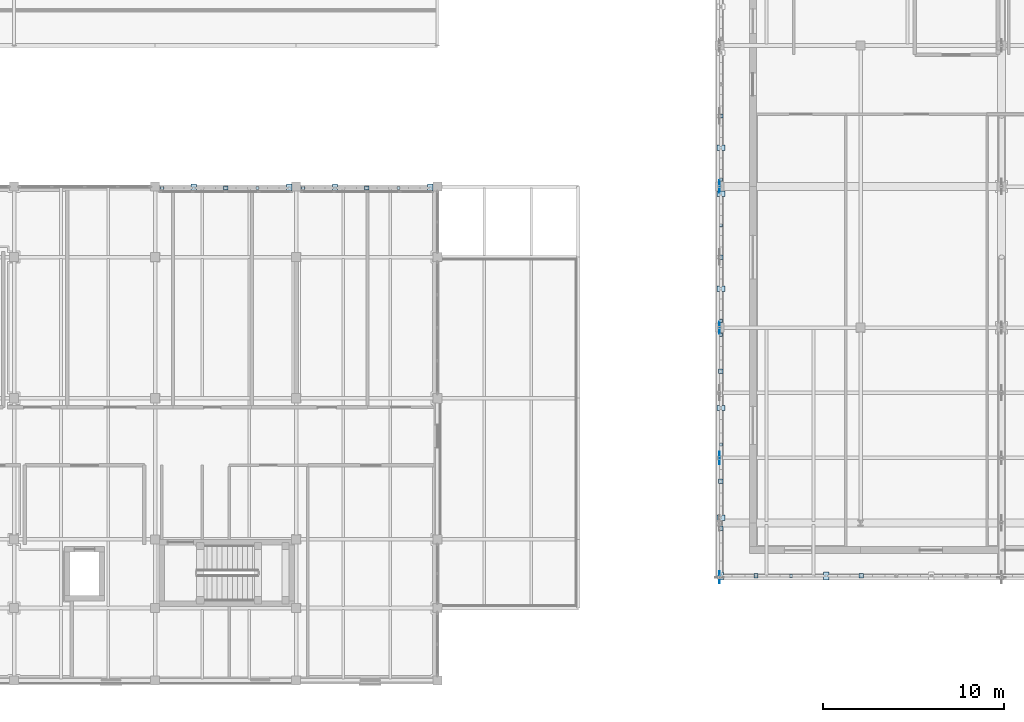
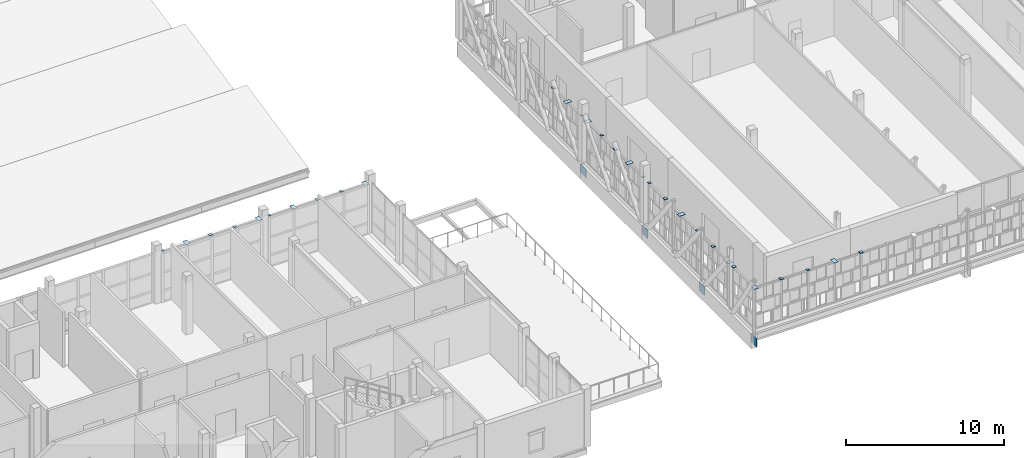
# One storey, part 54 of 89: 34 plates.
"""IFC4 building model written with IfcOpenShell, lengths in metres."""

import ifcopenshell
import ifcopenshell.guid

model = None  # the IFC model being written
_history = None  # IfcOwnerHistory: only IFC2X3 demands one
_inside = {}  # id of a spatial element -> (the spatial element, [elements in it])
_under = {}  # id of a project, library or spatial element -> (it, [spatial elements below it])
_declared = {}  # id of a project -> (the project, [libraries it declares])
_typed = {}  # id of a type object -> (the type object, [elements of that type])
_made_of = {}  # id of a material, layer set ... -> (it, [elements and type objects made of it])


def new_model(schema):
    """Start an empty IFC model of exactly this schema.

    Asked for "IFC4X3", IfcOpenShell would pick the latest addendum, in which some entities
    have other attributes; the version numbers below select the first issue.
    IFC2X3 requires an IfcOwnerHistory on every rooted entity: one is made here for all.
    """
    global model, _history
    if schema == "IFC4X3":
        model = ifcopenshell.file(schema_version=(4, 3, 0, 0))
    else:
        model = ifcopenshell.file(schema=schema)
    _inside.clear()
    _under.clear()
    _declared.clear()
    _typed.clear()
    _made_of.clear()
    _history = None
    if model.schema == "IFC2X3":
        org = make("IfcOrganization", Name="unknown")
        user = make(
            "IfcPersonAndOrganization",
            ThePerson=make("IfcPerson", FamilyName="unknown"),
            TheOrganization=org,
        )
        app = make(
            "IfcApplication",
            ApplicationDeveloper=org,
            Version="unknown",
            ApplicationFullName="unknown",
            ApplicationIdentifier="unknown",
        )
        _history = make(
            "IfcOwnerHistory",
            OwningUser=user,
            OwningApplication=app,
            ChangeAction="ADDED",
            CreationDate=0,
        )
    return model


def make(cls, **values):
    """One entity of the class cls with the attributes given. An attribute that is None is left unset."""
    return model.create_entity(
        cls, **{name: value for name, value in values.items() if value is not None}
    )


def rooted(cls, **values):
    """An entity with a GlobalId (a new one), such as an element, a storey or a relation."""
    return make(cls, GlobalId=ifcopenshell.guid.new(), OwnerHistory=_history, **values)


def si_unit(unit_type, name, prefix=None):
    """IfcSIUnit, for example si_unit("LENGTHUNIT", "METRE", prefix="MILLI")."""
    return make("IfcSIUnit", UnitType=unit_type, Prefix=prefix, Name=name)


def assignment(units):
    """IfcUnitAssignment: the units of a project."""
    return None if units is None else make("IfcUnitAssignment", Units=units)


def point(xyz):
    """IfcCartesianPoint."""
    return None if xyz is None else make("IfcCartesianPoint", Coordinates=xyz)


def direction(xyz):
    """IfcDirection."""
    return None if xyz is None else make("IfcDirection", DirectionRatios=xyz)


def frame(location, z_axis=None, x_axis=None):
    """IfcAxis2Placement3D, a coordinate frame: its origin and axes. An axis left out is left unset."""
    return make(
        "IfcAxis2Placement3D",
        Location=point(location),
        Axis=direction(z_axis),
        RefDirection=direction(x_axis),
    )


def frame_2d(location, x_axis=None):
    """IfcAxis2Placement2D, a coordinate frame in the plane: its origin and x axis."""
    return make(
        "IfcAxis2Placement2D", Location=point(location), RefDirection=direction(x_axis)
    )


def origin():
    """The frame at (0, 0, 0) with its axes left unset."""
    return frame((0.0, 0.0, 0.0))


def origin_2d():
    """The frame at (0, 0) in the plane with its x axis left unset."""
    return frame_2d((0.0, 0.0))


def place(relative_to, where):
    """IfcLocalPlacement: puts the frame where relative to a parent placement (None: the world)."""
    return make(
        "IfcLocalPlacement", PlacementRelTo=relative_to, RelativePlacement=where
    )


def context(
    kind, dimensions, precision=None, world=None, true_north=None, identifier=None
):
    """IfcGeometricRepresentationContext, for example the 3D "Model" context."""
    return make(
        "IfcGeometricRepresentationContext",
        ContextIdentifier=identifier,
        ContextType=kind,
        CoordinateSpaceDimension=dimensions,
        Precision=precision,
        WorldCoordinateSystem=world,
        TrueNorth=true_north,
    )


def subcontext(parent, identifier, kind, view, scale=None):
    """IfcGeometricRepresentationSubContext, for example "Body" below "Model"."""
    return make(
        "IfcGeometricRepresentationSubContext",
        ContextIdentifier=identifier,
        ContextType=kind,
        ParentContext=parent,
        TargetScale=scale,
        TargetView=view,
    )


def project(units=None, contexts=None):
    """IfcProject with its units and contexts."""
    return rooted(
        "IfcProject",
        Name="project",
        RepresentationContexts=contexts,
        UnitsInContext=assignment(units),
    )


def spatial(cls, under=None, at=None, **own):
    """A site, building, storey or space (cls), placed at a placement, below another one or the project."""
    s = rooted(cls, ObjectPlacement=at, **own)
    if under is not None:
        _under.setdefault(under.id(), (under, []))[1].append(s)
    return s


def profile(cls, at=None, kind="AREA", **sizes):
    """A parametric profile (cls). Its sizes go by their IFC names, for example OverallWidth=200.0."""
    return make(cls, ProfileType=kind, Position=at, **sizes)


def rectangle(**sizes):
    """IfcRectangleProfileDef."""
    return profile("IfcRectangleProfileDef", **sizes)


def extrude(swept, where, along, depth):
    """IfcExtrudedAreaSolid: the profile swept, set in the frame where, extruded along a direction by depth."""
    return make(
        "IfcExtrudedAreaSolid",
        SweptArea=swept,
        Position=where,
        ExtrudedDirection=direction(along),
        Depth=depth,
    )


def shape(context_of_items, identifier, shape_type, items):
    """IfcShapeRepresentation: the items that make up one representation, for example the "Body"."""
    return make(
        "IfcShapeRepresentation",
        ContextOfItems=context_of_items,
        RepresentationIdentifier=identifier,
        RepresentationType=shape_type,
        Items=items,
    )


def material(Name=None, Category=None):
    """IfcMaterial."""
    return make("IfcMaterial", Name=Name, Category=Category)


def layer(
    of_material, thickness, ventilated=None, Name=None, Category=None, Priority=None
):
    """IfcMaterialLayer: one layer of a wall or slab, of a material (None: an air gap)."""
    return make(
        "IfcMaterialLayer",
        Material=of_material,
        LayerThickness=thickness,
        IsVentilated=ventilated,
        Name=Name,
        Category=Category,
        Priority=Priority,
    )


def layer_set(layers, Name=None):
    """IfcMaterialLayerSet."""
    return make("IfcMaterialLayerSet", MaterialLayers=layers, LayerSetName=Name)


def made_of(thing, what):
    """Note that an element or type object is made of a material, layer set ...; save() writes the relation."""
    if what is not None:
        _made_of.setdefault(what.id(), (what, []))[1].append(thing)
    return thing


def type_object(cls, material=None, **own):
    """A type object (cls), such as IfcWallType, which elements share."""
    return made_of(rooted(cls, **own), material)


def element(
    cls,
    number,
    at=None,
    inside=None,
    cuts=None,
    type_object=None,
    material=None,
    context=None,
    identifier="Body",
    shape_type=None,
    held_by="IfcProductDefinitionShape",
    body=None,
    shapes=None,
    **own,
):
    """One element of the class cls, such as IfcWall. Its Tag is "e" and its number.

    at: its placement. inside: the storey or other place that contains it. cuts: it is an
    opening in that element (IfcRelVoidsElement). A single representation is given by context,
    identifier, shape_type and body (its items); several are given by shapes. held_by: the class
    of the entity that holds the representations. save() writes the other relations.
    """
    e = rooted(cls, Tag="e%d" % number, ObjectPlacement=at, **own)
    if body is not None:
        shapes = [shape(context, identifier, shape_type, body)]
    if shapes is not None:
        e.Representation = make(held_by, Representations=shapes)
    if inside is not None:
        _inside.setdefault(inside.id(), (inside, []))[1].append(e)
    if cuts is not None:
        rooted(
            "IfcRelVoidsElement", RelatingBuildingElement=cuts, RelatedOpeningElement=e
        )
    if type_object is not None:
        _typed.setdefault(type_object.id(), (type_object, []))[1].append(e)
    return made_of(e, material)


def aggregate(whole, parts):
    """IfcRelAggregates: a whole, such as a stair, and the parts it consists of."""
    return rooted("IfcRelAggregates", RelatingObject=whole, RelatedObjects=parts)


def save(model, path):
    """Write the relations noted so far, then the file.

    IfcRelAggregates (storeys below a building ...), IfcRelContainedInSpatialStructure (elements
    in a storey), IfcRelDefinesByType, IfcRelAssociatesMaterial and IfcRelDeclares: one each for
    every whole, place, type object, material and project.
    """
    for whole, parts in _under.values():
        aggregate(whole, parts)
    for where, things in _inside.values():
        rooted(
            "IfcRelContainedInSpatialStructure",
            RelatedElements=things,
            RelatingStructure=where,
        )
    for kind, things in _typed.values():
        rooted("IfcRelDefinesByType", RelatedObjects=things, RelatingType=kind)
    for what, things in _made_of.values():
        rooted("IfcRelAssociatesMaterial", RelatedObjects=things, RelatingMaterial=what)
    for by, libraries in _declared.values():
        rooted("IfcRelDeclares", RelatingContext=by, RelatedDefinitions=libraries)
    model.write(path)


model = new_model("IFC4")

# Units and contexts
model_context = context("Model", 3, precision=1e-05, world=origin(), true_north=direction((0.0, 1.0)))
body_context = subcontext(model_context, "Body", "Model", "MODEL_VIEW")
ifc_project = project(units=[si_unit("LENGTHUNIT", "METRE"), si_unit("AREAUNIT", "SQUARE_METRE"), si_unit("VOLUMEUNIT", "CUBIC_METRE"), si_unit("PLANEANGLEUNIT", "RADIAN"), si_unit("MASSUNIT", "GRAM", prefix="KILO")], contexts=[model_context])

# Site, building, storey
site_placement = place(None, origin())
site = spatial("IfcSite", under=ifc_project, at=site_placement, CompositionType="ELEMENT")
building_placement = place(site_placement, origin())
building = spatial("IfcBuilding", under=site, at=building_placement, Name="Celorna Specialist Clinic", CompositionType="ELEMENT")
storey_placement = place(building_placement, frame((0.0, 0.0, 14.10009765625)))
storey = spatial("IfcBuildingStorey", under=building, at=storey_placement, Name="L03", CompositionType="ELEMENT", Elevation=14.10009765625)

# Plates
ifc_material = material(Name="Steel S355", Category="steel")
ifc_layer_1 = layer(ifc_material, 0.011962890625, Name="Steel S355")
ifc_layer_set_1 = layer_set([ifc_layer_1], Name="Steel S355")
plate_type_1 = type_object("IfcPlateType", Name="EP-06", PredefinedType="SHEET", material=ifc_layer_set_1)
for number, where, z_axis, x_axis, name in (
    (1, (58.56005859375, 5.780029296875, 3.1796875), (0.0, 0.0, 1.0), (1.0, 0.0, 0.0), "Screen post cap plate EP-06 #84"),
    (2, (54.679931640625, 13.0380859375, 3.1796875), (0.0, 0.0, 1.0), (0.0, 1.0, 0.0), "Screen post cap plate EP-06 #264"),
    (3, (54.679931640625, 19.110107421875, 3.1796875), (0.0, 0.0, 1.0), (0.0, 1.0, 0.0), "Screen post cap plate EP-06 #267"),
    (4, (54.679931640625, 19.889892578125, 3.1796875), (0.0, 0.0, 1.0), (0.0, 1.0, 0.0), "Screen post cap plate EP-06 #288"),
    (5, (54.679931640625, 25.155029296875, 3.1796875), (0.0, 0.0, 1.0), (0.0, 1.0, 0.0), "Screen post cap plate EP-06 #291"),
    (6, (54.679931640625, 27.68994140625, 3.1796875), (0.0, 0.0, 1.0), (0.0, 1.0, 0.0), "Screen post cap plate EP-06 #309"),
    (7, (23.7900390625, 27.219970703125, 3.83984375), (0.0, 0.0, 1.0), (1.0, 0.0, 0.0), "Screen post cap plate EP-06 #1815"),
    (8, (29.054931640625, 27.219970703125, 3.83984375), (0.0, 0.0, 1.0), (1.0, 0.0, 0.0), "Screen post cap plate EP-06 #1818"),
    (9, (31.590087890625, 27.219970703125, 3.83984375), (0.0, 0.0, 1.0), (1.0, 0.0, 0.0), "Screen post cap plate EP-06 #1836"),
    (10, (36.85498046875, 27.219970703125, 3.83984375), (0.0, 0.0, 1.0), (1.0, 0.0, 0.0), "Screen post cap plate EP-06 #1839"),
):
    element("IfcPlate", number, at=place(storey_placement, frame(where, z_axis=z_axis, x_axis=x_axis)), inside=storey, type_object=plate_type_1, Name=name, PredefinedType="SHEET", context=body_context, shape_type="SweptSolid", body=[
        extrude(rectangle(XDim=0.179931640625, YDim=0.179931640625, at=origin_2d()), origin(), (0.0, 0.0, 1.0), 0.011962890625),
    ])
ifc_layer_2 = layer(ifc_material, 0.01611328125, Name="Steel S355")
ifc_layer_set_2 = layer_set([ifc_layer_2], Name="Steel S355")
plate_type_2 = type_object("IfcPlateType", Name="EP-07", PredefinedType="SHEET", material=ifc_layer_set_2)
for number, where, z_axis, x_axis, name in (
    (11, (54.679931640625, 5.780029296875, 3.179931640625), (0.0, 0.0, 1.0), (1.0, 0.0, 0.0), "Screen post cap plate EP-07 #82"),
    (12, (60.5, 5.780029296875, 3.179931640625), (0.0, 0.0, 1.0), (1.0, 0.0, 0.0), "Screen post cap plate EP-07 #85"),
    (13, (54.679931640625, 8.989990234375, 3.179931640625), (0.0, 0.0, 1.0), (0.0, 1.0, 0.0), "Screen post cap plate EP-07 #262"),
    (14, (54.679931640625, 15.06201171875, 3.179931640625), (0.0, 0.0, 1.0), (0.0, 1.0, 0.0), "Screen post cap plate EP-07 #265"),
    (15, (54.679931640625, 21.64501953125, 3.179931640625), (0.0, 0.0, 1.0), (0.0, 1.0, 0.0), "Screen post cap plate EP-07 #289"),
    (16, (54.679931640625, 26.909912109375, 3.179931640625), (0.0, 0.0, 1.0), (0.0, 1.0, 0.0), "Screen post cap plate EP-07 #292"),
    (17, (54.679931640625, 29.445068359375, 3.179931640625), (0.0, 0.0, 1.0), (0.0, 1.0, 0.0), "Screen post cap plate EP-07 #310"),
    (18, (25.544921875, 27.219970703125, 3.83984375), (0.0, 0.0, 1.0), (1.0, 0.0, 0.0), "Screen post cap plate EP-07 #1816"),
    (19, (30.81005859375, 27.219970703125, 3.83984375), (0.0, 0.0, 1.0), (1.0, 0.0, 0.0), "Screen post cap plate EP-07 #1819"),
    (20, (33.344970703125, 27.219970703125, 3.83984375), (0.0, 0.0, 1.0), (1.0, 0.0, 0.0), "Screen post cap plate EP-07 #1837"),
    (21, (38.610107421875, 27.219970703125, 3.83984375), (0.0, 0.0, 1.0), (1.0, 0.0, 0.0), "Screen post cap plate EP-07 #1840"),
):
    element("IfcPlate", number, at=place(storey_placement, frame(where, z_axis=z_axis, x_axis=x_axis)), inside=storey, type_object=plate_type_2, Name=name, PredefinedType="SHEET", context=body_context, shape_type="SweptSolid", body=[
        extrude(rectangle(XDim=0.300048828125, YDim=0.43994140625, at=origin_2d()), origin(), (0.0, 0.0, 1.0), 0.01611328125),
    ])
ifc_layer_3 = layer(ifc_material, 0.013916015625, Name="Steel S355")
ifc_layer_set_3 = layer_set([ifc_layer_3], Name="Steel S355")
plate_type_3 = type_object("IfcPlateType", Name="EP-08", PredefinedType="SHEET", material=ifc_layer_set_3)
for number, where, z_axis, x_axis, name in (
    (22, (56.6201171875, 5.780029296875, 3.18017578125), (0.0, 0.0, 1.0), (1.0, 0.0, 0.0), "Screen post cap plate EP-08 #83"),
    (23, (62.43994140625, 5.780029296875, 3.18017578125), (0.0, 0.0, 1.0), (1.0, 0.0, 0.0), "Screen post cap plate EP-08 #86"),
    (24, (54.679931640625, 8.409912109375, 3.18017578125), (0.0, 0.0, 1.0), (0.0, 1.0, 0.0), "Screen post cap plate EP-08 #257"),
    (25, (54.679931640625, 11.013916015625, 3.18017578125), (0.0, 0.0, 1.0), (0.0, 1.0, 0.0), "Screen post cap plate EP-08 #263"),
    (26, (54.679931640625, 17.0859375, 3.18017578125), (0.0, 0.0, 1.0), (0.0, 1.0, 0.0), "Screen post cap plate EP-08 #266"),
    (27, (54.679931640625, 23.39990234375, 3.18017578125), (0.0, 0.0, 1.0), (0.0, 1.0, 0.0), "Screen post cap plate EP-08 #290"),
    (28, (54.679931640625, 31.199951171875, 3.18017578125), (0.0, 0.0, 1.0), (0.0, 1.0, 0.0), "Screen post cap plate EP-08 #311"),
    (29, (27.300048828125, 27.219970703125, 3.83984375), (0.0, 0.0, 1.0), (1.0, 0.0, 0.0), "Screen post cap plate EP-08 #1817"),
    (30, (35.10009765625, 27.219970703125, 3.83984375), (0.0, 0.0, 1.0), (1.0, 0.0, 0.0), "Screen post cap plate EP-08 #1838"),
):
    element("IfcPlate", number, at=place(storey_placement, frame(where, z_axis=z_axis, x_axis=x_axis)), inside=storey, type_object=plate_type_3, Name=name, PredefinedType="SHEET", context=body_context, shape_type="SweptSolid", body=[
        extrude(rectangle(XDim=0.239990234375, YDim=0.239990234375, at=origin_2d()), origin(), (0.0, 0.0, 1.0), 0.013916015625),
    ])
ifc_layer_4 = layer(ifc_material, 0.02392578125, Name="Steel S355")
ifc_layer_set_4 = layer_set([ifc_layer_4], Name="Steel S355")
plate_type_4 = type_object("IfcPlateType", Name="GP-07", PredefinedType="USERDEFINED", material=ifc_layer_set_4)
for number, where, z_axis, x_axis, name in (
    (31, (54.60009765625, 5.699951171875, -1.17529296875), (0.0, 0.0, 1.0), (0.0, 1.0, 0.0), "Truss node gusset plate TN-017"),
    (32, (54.60009765625, 12.300048828125, -1.17529296875), (0.0, 0.0, 1.0), (0.0, 1.0, 0.0), "Truss node gusset plate TN-019"),
    (33, (54.60009765625, 19.5, -1.17529296875), (0.0, 0.0, 1.0), (0.0, 1.0, 0.0), "Truss node gusset plate TN-021"),
    (34, (54.60009765625, 27.300048828125, -1.17529296875), (0.0, 0.0, 1.0), (0.0, 1.0, 0.0), "Truss node gusset plate TN-023"),
):
    element("IfcPlate", number, at=place(storey_placement, frame(where, z_axis=z_axis, x_axis=x_axis)), inside=storey, type_object=plate_type_4, Name=name, ObjectType="GUSSET PLATE", PredefinedType="USERDEFINED", context=body_context, shape_type="SweptSolid", body=[
        extrude(rectangle(XDim=0.679931640625, YDim=0.02392578125, at=origin_2d()), origin(), (0.0, 0.0, 1.0), 0.679931640625),
    ])

save(model, "model.ifc")
